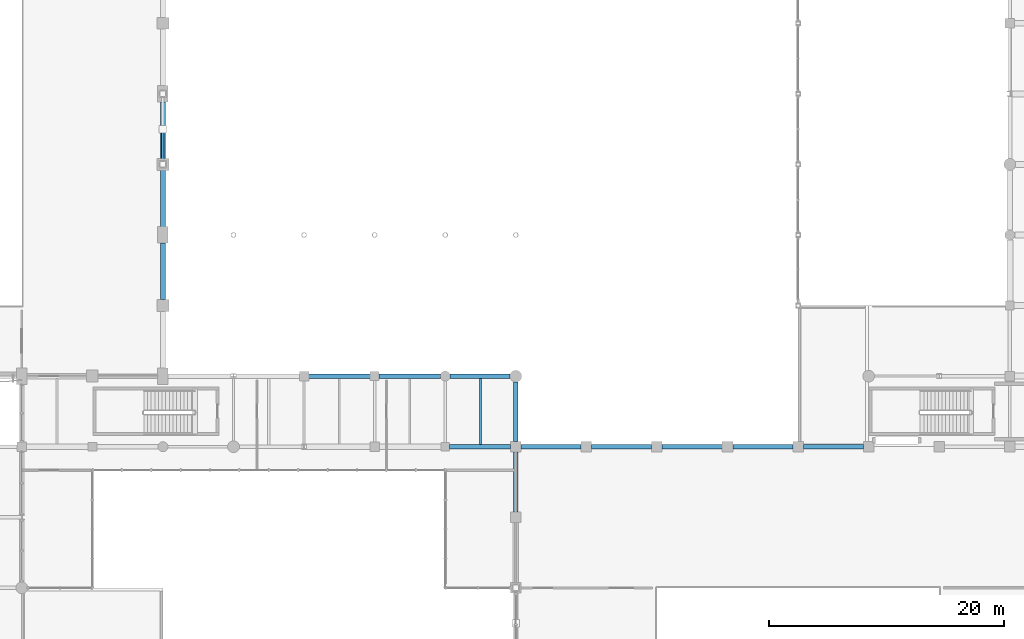
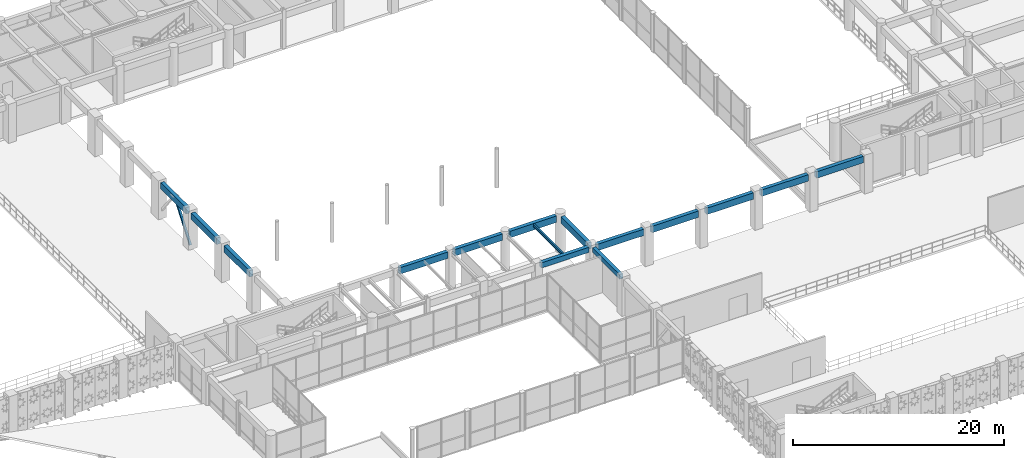
# One storey, part 30 of 133: 15 beams, 1 member.
"""IFC4 building model written with IfcOpenShell, lengths in metres."""

from ifc_helpers import new_model, si_unit, direction, frame, origin, origin_2d, place, context, subcontext, project, spatial, rectangle, hollow_rectangle, i_section, extrude, material, material_profile, profile_set, type_object, element, save


model = new_model("IFC4")

# Units and contexts
model_context = context("Model", 3, precision=1e-05, world=origin(), true_north=direction((0.0, 1.0)))
body_context = subcontext(model_context, "Body", "Model", "MODEL_VIEW")
ifc_project = project(units=[si_unit("LENGTHUNIT", "METRE"), si_unit("AREAUNIT", "SQUARE_METRE"), si_unit("VOLUMEUNIT", "CUBIC_METRE"), si_unit("PLANEANGLEUNIT", "RADIAN"), si_unit("MASSUNIT", "GRAM", prefix="KILO"), si_unit("THERMODYNAMICTEMPERATUREUNIT", "KELVIN"), si_unit("POWERUNIT", "WATT")], contexts=[model_context])

# Site, building, storey
site_placement = place(None, origin())
site = spatial("IfcSite", under=ifc_project, at=site_placement, CompositionType="ELEMENT")
building_placement = place(site_placement, origin())
building = spatial("IfcBuilding", under=site, at=building_placement, Name="Phaisarnlok Congress Hotel", CompositionType="ELEMENT")
storey_placement = place(building_placement, frame((0.0, 0.0, 6.0)))
storey = spatial("IfcBuildingStorey", under=building, at=storey_placement, Name="L01", CompositionType="ELEMENT", Elevation=6.0)

# Beams
ifc_material_1 = material(Name="Concrete C40/50", Category="concrete")
ifc_material_profile_1 = material_profile(ifc_material_1, rectangle(XDim=0.35009765625, YDim=0.550048828125, at=origin_2d()), Name="RC 350x550")
ifc_profile_set_1 = profile_set([ifc_material_profile_1], Name="Concrete C40/50")
beam_type_1 = type_object("IfcBeamType", Name="BM-RC-350x550", PredefinedType="BEAM", material=ifc_profile_set_1)
beam_1_placement = place(storey_placement, frame((96.0, 30.445068359375, 3.945068359375), z_axis=(0.0, 1.0, 0.0), x_axis=(-1.0, 0.0, 0.0)))
element("IfcBeam", 1, at=beam_1_placement, inside=storey, type_object=beam_type_1, Name="Beam B-01", PredefinedType="BEAM", context=body_context, shape_type="SweptSolid", body=[
    extrude(rectangle(XDim=0.35009765625, YDim=0.550048828125, at=origin_2d()), origin(), (0.0, 0.0, 1.0), 5.10986328125),
])
ifc_material_profile_2 = material_profile(ifc_material_1, rectangle(XDim=0.39990234375, YDim=0.60009765625, at=origin_2d()), Name="RC 400x600")
ifc_profile_set_2 = profile_set([ifc_material_profile_2], Name="Concrete C40/50")
beam_type_2 = type_object("IfcBeamType", Name="BM-RC-400x600", PredefinedType="BEAM", material=ifc_profile_set_2)
beam_2_placement = place(storey_placement, frame((90.3701171875, 36.0, 3.919921875), z_axis=(1.0, 0.0, 0.0), x_axis=(0.0, 1.0, 0.0)))
element("IfcBeam", 2, at=beam_2_placement, inside=storey, type_object=beam_type_2, Name="Beam B-02", PredefinedType="BEAM", context=body_context, shape_type="SweptSolid", body=[
    extrude(rectangle(XDim=0.39990234375, YDim=0.60009765625, at=origin_2d()), origin(), (0.0, 0.0, 1.0), 5.184814453125),
])
ifc_material_2 = material(Name="Steel S355", Category="steel")
ifc_material_profile_3 = material_profile(ifc_material_2, i_section(OverallWidth=0.169921875, OverallDepth=0.360107421875, WebThickness=0.008056640625, FlangeThickness=0.0126953125, FilletRadius=0.01806640625, at=origin_2d()), Name="IPE 360")
ifc_profile_set_3 = profile_set([ifc_material_profile_3], Name="Steel S355")
beam_type_3 = type_object("IfcBeamType", Name="JS-STL-IPE360", PredefinedType="JOIST", material=ifc_profile_set_3)
beam_3_placement = place(storey_placement, frame((93.0, 36.195068359375, 4.0400390625), z_axis=(0.0, 1.0, 0.0), x_axis=(-1.0, 0.0, 0.0)))
element("IfcBeam", 3, at=beam_3_placement, inside=storey, type_object=beam_type_3, Name="Secondary floor joist J-04", PredefinedType="JOIST", context=body_context, shape_type="SweptSolid", body=[
    extrude(i_section(OverallWidth=0.169921875, OverallDepth=0.360107421875, WebThickness=0.008056640625, FlangeThickness=0.0126953125, FilletRadius=0.01806640625, at=origin_2d()), origin(), (0.0, 0.0, 1.0), 5.60986328125),
])

# Member
ifc_material_profile_4 = material_profile(ifc_material_2, hollow_rectangle(XDim=0.219970703125, YDim=0.219970703125, WallThickness=0.012451171875, at=origin_2d()), Name="SHS 220x220x12.5")
ifc_profile_set_4 = profile_set([ifc_material_profile_4], Name="Steel S355")
member_type = type_object("IfcMemberType", Name="MEM-BRC-SHS220", PredefinedType="BRACE", material=ifc_profile_set_4)
member_placement = place(storey_placement, frame((66.0, 60.0, 0.14990234375), z_axis=(0.0, 0.604808680836, 0.796370805332), x_axis=(-1.0, 0.0, 0.0)))
element("IfcMember", 4, at=member_placement, inside=storey, type_object=member_type, Name="Lateral braced frame diagonal", PredefinedType="BRACE", context=body_context, shape_type="SweptSolid", body=[
    extrude(hollow_rectangle(XDim=0.219970703125, YDim=0.219970703125, WallThickness=0.012451171875, at=origin_2d()), origin(), (0.0, 0.0, 1.0), 4.960205078125),
])

# Beams
ifc_material_profile_5 = material_profile(ifc_material_1, rectangle(XDim=0.39990234375, YDim=0.75, at=origin_2d()), Name="RC 400x750")
ifc_profile_set_5 = profile_set([ifc_material_profile_5], Name="Concrete C40/50")
beam_type_4 = type_object("IfcBeamType", Name="SP-RC-400x750", PredefinedType="SPANDREL", material=ifc_profile_set_5)
for number, where, z_axis, x_axis, name in (
    (5, (66.0, 48.4951171875, 3.844970703125), (0.0, 1.0, 0.0), (-1.0, 0.0, 0.0), "Beam SP-02"),
    (6, (66.0, 54.695068359375, 3.844970703125), (0.0, 1.0, 0.0), (-1.0, 0.0, 0.0), "Beam SP-02"),
    (7, (66.0, 60.4951171875, 3.844970703125), (0.0, 1.0, 0.0), (-1.0, 0.0, 0.0), "Beam SP-02"),
):
    element("IfcBeam", number, at=place(storey_placement, frame(where, z_axis=z_axis, x_axis=x_axis)), inside=storey, type_object=beam_type_4, Name=name, PredefinedType="SPANDREL", context=body_context, shape_type="SweptSolid", body=[
        extrude(rectangle(XDim=0.39990234375, YDim=0.75, at=origin_2d()), origin(), (0.0, 0.0, 1.0), 4.809814453125),
    ])
beam_4_placement = place(storey_placement, frame((78.39501953125, 42.0, 3.844970703125), z_axis=(1.0, 0.0, 0.0), x_axis=(0.0, 1.0, 0.0)))
element("IfcBeam", 8, at=beam_4_placement, inside=storey, type_object=beam_type_4, Name="Beam SP-02", PredefinedType="SPANDREL", context=body_context, shape_type="SweptSolid", body=[
    extrude(rectangle(XDim=0.39990234375, YDim=0.75, at=origin_2d()), origin(), (0.0, 0.0, 1.0), 5.23486328125),
])
beam_5_placement = place(storey_placement, frame((84.3701171875, 42.0, 3.844970703125), z_axis=(1.0, 0.0, 0.0), x_axis=(0.0, 1.0, 0.0)))
element("IfcBeam", 9, at=beam_5_placement, inside=storey, type_object=beam_type_4, Name="Beam SP-02", PredefinedType="SPANDREL", context=body_context, shape_type="SweptSolid", body=[
    extrude(rectangle(XDim=0.39990234375, YDim=0.75, at=origin_2d()), origin(), (0.0, 0.0, 1.0), 5.2099609375),
])
beam_6_placement = place(storey_placement, frame((90.419921875, 42.0, 3.844970703125), z_axis=(1.0, 0.0, 0.0), x_axis=(0.0, 1.0, 0.0)))
element("IfcBeam", 10, at=beam_6_placement, inside=storey, type_object=beam_type_4, Name="Beam SP-02", PredefinedType="SPANDREL", context=body_context, shape_type="SweptSolid", body=[
    extrude(rectangle(XDim=0.39990234375, YDim=0.75, at=origin_2d()), origin(), (0.0, 0.0, 1.0), 5.0849609375),
])
beam_7_placement = place(storey_placement, frame((96.445068359375, 36.0, 3.844970703125), z_axis=(1.0, 0.0, 0.0), x_axis=(0.0, 1.0, 0.0)))
element("IfcBeam", 11, at=beam_7_placement, inside=storey, type_object=beam_type_4, Name="Beam SP-02", PredefinedType="SPANDREL", context=body_context, shape_type="SweptSolid", body=[
    extrude(rectangle(XDim=0.39990234375, YDim=0.75, at=origin_2d()), origin(), (0.0, 0.0, 1.0), 5.10986328125),
])
beam_8_placement = place(storey_placement, frame((96.0, 36.445068359375, 3.844970703125), z_axis=(0.0, 1.0, 0.0), x_axis=(-1.0, 0.0, 0.0)))
element("IfcBeam", 12, at=beam_8_placement, inside=storey, type_object=beam_type_4, Name="Beam SP-02", PredefinedType="SPANDREL", context=body_context, shape_type="SweptSolid", body=[
    extrude(rectangle(XDim=0.39990234375, YDim=0.75, at=origin_2d()), origin(), (0.0, 0.0, 1.0), 5.059814453125),
])
for number, where, z_axis, x_axis, name in (
    (13, (102.445068359375, 36.0, 3.844970703125), (1.0, 0.0, 0.0), (0.0, 1.0, 0.0), "Beam SP-02"),
    (14, (108.445068359375, 36.0, 3.844970703125), (1.0, 0.0, 0.0), (0.0, 1.0, 0.0), "Beam SP-02"),
    (15, (114.445068359375, 36.0, 3.844970703125), (1.0, 0.0, 0.0), (0.0, 1.0, 0.0), "Beam SP-02"),
    (16, (120.445068359375, 36.0, 3.844970703125), (1.0, 0.0, 0.0), (0.0, 1.0, 0.0), "Beam SP-02"),
):
    element("IfcBeam", number, at=place(storey_placement, frame(where, z_axis=z_axis, x_axis=x_axis)), inside=storey, type_object=beam_type_4, Name=name, PredefinedType="SPANDREL", context=body_context, shape_type="SweptSolid", body=[
        extrude(rectangle(XDim=0.39990234375, YDim=0.75, at=origin_2d()), origin(), (0.0, 0.0, 1.0), 5.10986328125),
    ])

save(model, "model.ifc")
